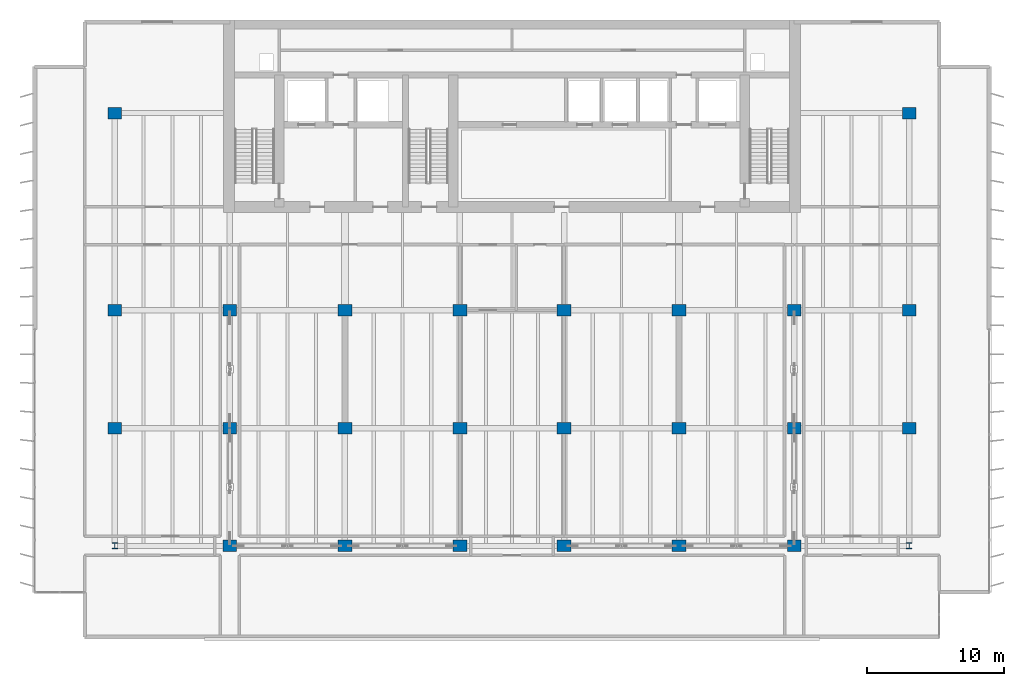
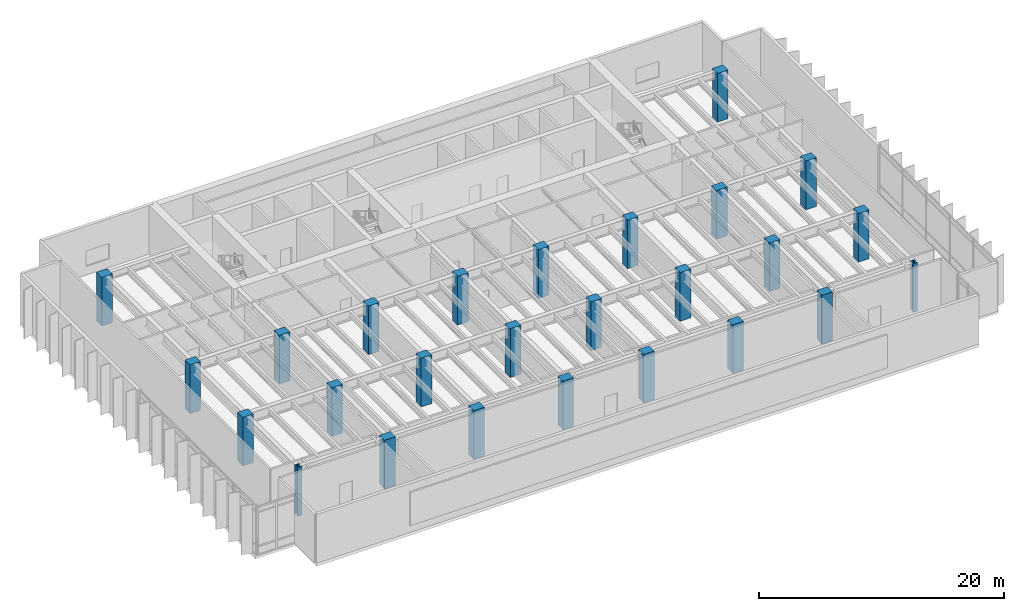
# One storey, part 1 of 18: 26 columns.
"""IFC4 building model written with IfcOpenShell, lengths in metres."""

from ifc_helpers import new_model, si_unit, direction, frame, origin, origin_2d, place, context, subcontext, project, spatial, rectangle, i_section, extrude, material, material_profile, profile_set, type_object, element, save


model = new_model("IFC4")

# Units and contexts
model_context = context("Model", 3, precision=1e-05, world=origin(), true_north=direction((0.0, 1.0)))
body_context = subcontext(model_context, "Body", "Model", "MODEL_VIEW")
ifc_project = project(units=[si_unit("LENGTHUNIT", "METRE"), si_unit("AREAUNIT", "SQUARE_METRE"), si_unit("VOLUMEUNIT", "CUBIC_METRE"), si_unit("PLANEANGLEUNIT", "RADIAN"), si_unit("MASSUNIT", "GRAM", prefix="KILO")], contexts=[model_context])

# Site, building, storey
site_placement = place(None, origin())
site = spatial("IfcSite", under=ifc_project, at=site_placement, CompositionType="ELEMENT")
building_placement = place(site_placement, origin())
building = spatial("IfcBuilding", under=site, at=building_placement, Name="Caelmar Bay Residences", CompositionType="ELEMENT")
storey_placement = place(building_placement, frame((0.0, 0.0, 152.10009765625)))
storey = spatial("IfcBuildingStorey", under=building, at=storey_placement, Name="L42", CompositionType="ELEMENT", Elevation=152.10009765625)

# Columns
ifc_material_1 = material(Name="Concrete f'c 70 MPa (10,000 psi)", Category="concrete")
ifc_material_profile_1 = material_profile(ifc_material_1, rectangle(XDim=1.0, YDim=0.85009765625, at=origin_2d()), Name="RC-COL-1000X850")
ifc_profile_set_1 = profile_set([ifc_material_profile_1], Name="Concrete f'c 70 MPa (10,000 psi)")
column_type_1 = type_object("IfcColumnType", Name="COL-RC-1000X850", PredefinedType="COLUMN", material=ifc_profile_set_1)
for number, where, z_axis, x_axis, name in (
    (1, (18.300048828125, 12.199951171875, 0.0), (0.0, 0.0, 1.0), (1.0, 0.0, 0.0), "L42 Column (18.30,12.20)"),
    (2, (26.699951171875, 12.199951171875, 0.0), (0.0, 0.0, 1.0), (1.0, 0.0, 0.0), "L42 Column (26.70,12.20)"),
    (3, (35.10009765625, 12.199951171875, 0.0), (0.0, 0.0, 1.0), (1.0, 0.0, 0.0), "L42 Column (35.10,12.20)"),
    (4, (42.699951171875, 12.199951171875, 0.0), (0.0, 0.0, 1.0), (1.0, 0.0, 0.0), "L42 Column (42.70,12.20)"),
    (5, (51.10009765625, 12.199951171875, 0.0), (0.0, 0.0, 1.0), (1.0, 0.0, 0.0), "L42 Column (51.10,12.20)"),
    (6, (59.5, 12.199951171875, 0.0), (0.0, 0.0, 1.0), (1.0, 0.0, 0.0), "L42 Column (59.50,12.20)"),
    (7, (9.89990234375, 20.800048828125, 0.0), (0.0, 0.0, 1.0), (1.0, 0.0, 0.0), "L42 Column (9.90,20.80)"),
    (8, (18.300048828125, 20.800048828125, 0.0), (0.0, 0.0, 1.0), (1.0, 0.0, 0.0), "L42 Column (18.30,20.80)"),
    (9, (26.699951171875, 20.800048828125, 0.0), (0.0, 0.0, 1.0), (1.0, 0.0, 0.0), "L42 Column (26.70,20.80)"),
    (10, (35.10009765625, 20.800048828125, 0.0), (0.0, 0.0, 1.0), (1.0, 0.0, 0.0), "L42 Column (35.10,20.80)"),
    (11, (42.699951171875, 20.800048828125, 0.0), (0.0, 0.0, 1.0), (1.0, 0.0, 0.0), "L42 Column (42.70,20.80)"),
    (12, (51.10009765625, 20.800048828125, 0.0), (0.0, 0.0, 1.0), (1.0, 0.0, 0.0), "L42 Column (51.10,20.80)"),
    (13, (59.5, 20.800048828125, 0.0), (0.0, 0.0, 1.0), (1.0, 0.0, 0.0), "L42 Column (59.50,20.80)"),
    (14, (67.89990234375, 20.800048828125, 0.0), (0.0, 0.0, 1.0), (1.0, 0.0, 0.0), "L42 Column (67.90,20.80)"),
    (15, (9.89990234375, 29.39990234375, 0.0), (0.0, 0.0, 1.0), (1.0, 0.0, 0.0), "L42 Column (9.90,29.40)"),
    (16, (18.300048828125, 29.39990234375, 0.0), (0.0, 0.0, 1.0), (1.0, 0.0, 0.0), "L42 Column (18.30,29.40)"),
    (17, (26.699951171875, 29.39990234375, 0.0), (0.0, 0.0, 1.0), (1.0, 0.0, 0.0), "L42 Column (26.70,29.40)"),
    (18, (35.10009765625, 29.39990234375, 0.0), (0.0, 0.0, 1.0), (1.0, 0.0, 0.0), "L42 Column (35.10,29.40)"),
    (19, (42.699951171875, 29.39990234375, 0.0), (0.0, 0.0, 1.0), (1.0, 0.0, 0.0), "L42 Column (42.70,29.40)"),
    (20, (51.10009765625, 29.39990234375, 0.0), (0.0, 0.0, 1.0), (1.0, 0.0, 0.0), "L42 Column (51.10,29.40)"),
    (21, (59.5, 29.39990234375, 0.0), (0.0, 0.0, 1.0), (1.0, 0.0, 0.0), "L42 Column (59.50,29.40)"),
    (22, (67.89990234375, 29.39990234375, 0.0), (0.0, 0.0, 1.0), (1.0, 0.0, 0.0), "L42 Column (67.90,29.40)"),
    (23, (9.89990234375, 43.800048828125, 0.0), (0.0, 0.0, 1.0), (1.0, 0.0, 0.0), "L42 Column (9.90,43.80)"),
    (24, (67.89990234375, 43.800048828125, 0.0), (0.0, 0.0, 1.0), (1.0, 0.0, 0.0), "L42 Column (67.90,43.80)"),
):
    element("IfcColumn", number, at=place(storey_placement, frame(where, z_axis=z_axis, x_axis=x_axis)), inside=storey, type_object=column_type_1, Name=name, PredefinedType="COLUMN", context=body_context, shape_type="SweptSolid", body=[
        extrude(rectangle(XDim=1.0, YDim=0.85009765625, at=origin_2d()), origin(), (0.0, 0.0, 1.0), 4.849853515625),
    ])
ifc_material_2 = material(Name="Steel ASTM A992 Grade 50", Category="steel")
ifc_material_profile_2 = material_profile(ifc_material_2, i_section(OverallWidth=0.424072265625, OverallDepth=0.47509765625, WebThickness=0.047607421875, FlangeThickness=0.0771484375, FilletRadius=0.01513671875, at=origin_2d()), Name="W14X426")
ifc_profile_set_2 = profile_set([ifc_material_profile_2], Name="Steel ASTM A992 Grade 50")
column_type_2 = type_object("IfcColumnType", Name="COL-STL-W14X426", PredefinedType="COLUMN", material=ifc_profile_set_2)
for number, where, z_axis, x_axis, name in (
    (25, (9.89990234375, 12.199951171875, 0.0), (0.0, 0.0, 1.0), (1.0, 0.0, 0.0), "L42 Column (9.90,12.20)"),
    (26, (67.89990234375, 12.199951171875, 0.0), (0.0, 0.0, 1.0), (1.0, 0.0, 0.0), "L42 Column (67.90,12.20)"),
):
    element("IfcColumn", number, at=place(storey_placement, frame(where, z_axis=z_axis, x_axis=x_axis)), inside=storey, type_object=column_type_2, Name=name, PredefinedType="COLUMN", context=body_context, shape_type="SweptSolid", body=[
        extrude(i_section(OverallWidth=0.424072265625, OverallDepth=0.47509765625, WebThickness=0.047607421875, FlangeThickness=0.0771484375, FilletRadius=0.01513671875, at=origin_2d()), origin(), (0.0, 0.0, 1.0), 4.849853515625),
    ])

save(model, "model.ifc")
